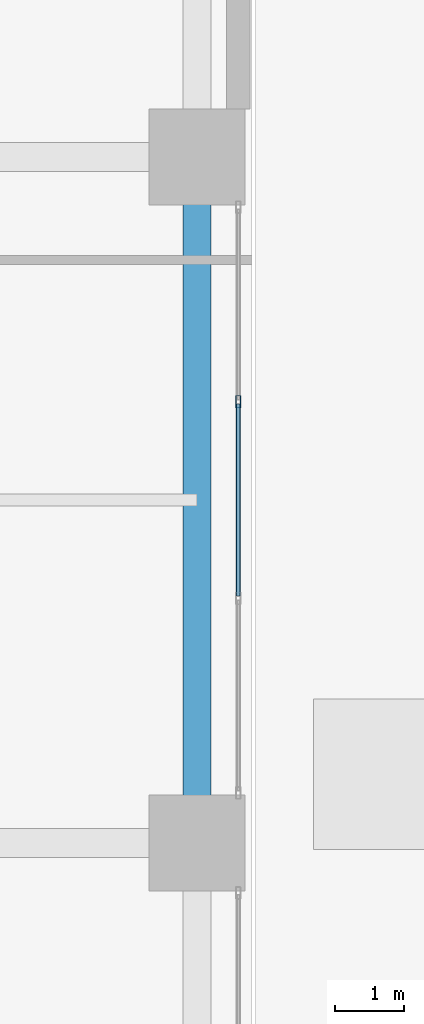
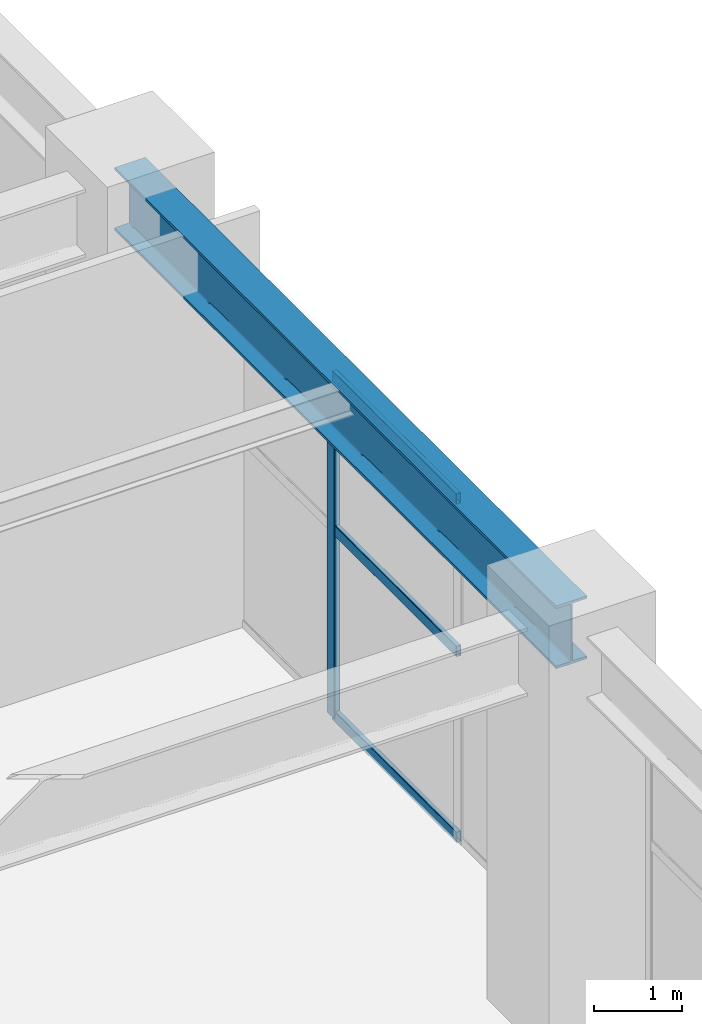
# One storey, part 16 of 31: 4 members, 1 beam, 1 element without a shape of its own.
"""IFC4 building model written with IfcOpenShell, lengths in metres."""

from ifc_helpers import new_model, si_unit, direction, frame, origin, origin_2d, place, context, subcontext, project, spatial, hollow_rectangle, i_section, extrude, material, layer, layer_set, material_profile, profile_set, type_object, element, aggregate, save


model = new_model("IFC4")

# Units and contexts
model_context = context("Model", 3, precision=1e-05, world=origin(), true_north=direction((0.0, 1.0)))
body_context = subcontext(model_context, "Body", "Model", "MODEL_VIEW")
ifc_project = project(units=[si_unit("LENGTHUNIT", "METRE"), si_unit("AREAUNIT", "SQUARE_METRE"), si_unit("VOLUMEUNIT", "CUBIC_METRE"), si_unit("PLANEANGLEUNIT", "RADIAN"), si_unit("MASSUNIT", "GRAM", prefix="KILO")], contexts=[model_context])

# Site, building, storey
site_placement = place(None, origin())
site = spatial("IfcSite", under=ifc_project, at=site_placement, CompositionType="ELEMENT")
building_placement = place(site_placement, origin())
building = spatial("IfcBuilding", under=site, at=building_placement, Name="Soratama Intermodal Tower", CompositionType="ELEMENT")
storey_placement = place(building_placement, origin())
storey = spatial("IfcBuildingStorey", under=building, at=storey_placement, Name="L00", CompositionType="ELEMENT", Elevation=0.0)

# Beam
ifc_material_1 = material(Name="Structural steel ASTM A992 Grade 50", Category="steel")
ifc_material_profile_1 = material_profile(ifc_material_1, i_section(OverallWidth=0.403076171875, OverallDepth=0.867919921875, WebThickness=0.02099609375, FlangeThickness=0.03564453125, FilletRadius=0.01806640625, at=origin_2d()), Name="W33X241")
ifc_profile_set_1 = profile_set([ifc_material_profile_1], Name="Structural steel ASTM A992 Grade 50")
beam_type = type_object("IfcBeamType", Name="BM-POD-EXT-W33", PredefinedType="BEAM", material=ifc_profile_set_1)
beam_placement = place(storey_placement, frame((83.199951171875, 25.0, 5.24609375), z_axis=(0.0, 1.0, 0.0), x_axis=(-1.0, 0.0, 0.0)))
element("IfcBeam", 1, at=beam_placement, inside=storey, type_object=beam_type, Name="L00 Station Girder Y4-3", PredefinedType="BEAM", context=body_context, shape_type="SweptSolid", body=[
    extrude(i_section(OverallWidth=0.403076171875, OverallDepth=0.867919921875, WebThickness=0.02099609375, FlangeThickness=0.03564453125, FilletRadius=0.01806640625, at=origin_2d()), origin(), (0.0, 0.0, 1.0), 10.0),
])

# Curtain wall, members
ifc_material_2 = material(Name="Double-glazed aluminium curtain wall", Category="aluminium")
ifc_layer = layer(ifc_material_2, 0.159912109375)
ifc_layer_set = layer_set([ifc_layer], Name="Double-glazed aluminium curtain wall")
curtain_wall_type = type_object("IfcCurtainWallType", Name="CW-SYS-1", PredefinedType="NOTDEFINED", material=ifc_layer_set)
curtain_wall_placement = place(storey_placement, origin())
curtain_wall = element("IfcCurtainWall", 2, at=curtain_wall_placement, inside=storey, type_object=curtain_wall_type, Name="L00 Station Curtain Wall E2", PredefinedType="NOTDEFINED")
ifc_material_3 = material(Name="Anodised aluminium AA 6063-T6", Category="aluminium")
ifc_material_profile_2 = material_profile(ifc_material_3, hollow_rectangle(XDim=0.074951171875, YDim=0.179931640625, WallThickness=0.006103515625, InnerFilletRadius=0.006103515625, OuterFilletRadius=0.011962890625, at=origin_2d()), Name="CWM180X75X6")
ifc_profile_set_2 = profile_set([ifc_material_profile_2], Name="Anodised aluminium AA 6063-T6")
member_type_1 = type_object("IfcMemberType", Name="MT-CWM-1", PredefinedType="MULLION", material=ifc_profile_set_2)
member_1_placement = place(storey_placement, frame((83.800048828125, 31.433349609375, 0.0), z_axis=(0.0, 0.0, 1.0), x_axis=(-1.0, 0.0, 0.0)))
member_1 = element("IfcMember", 3, at=member_1_placement, type_object=member_type_1, Name="CW-1 mullion 3", PredefinedType="MULLION", context=body_context, shape_type="SweptSolid", body=[
    extrude(hollow_rectangle(XDim=0.074951171875, YDim=0.179931640625, WallThickness=0.006103515625, InnerFilletRadius=0.006103515625, OuterFilletRadius=0.011962890625, at=origin_2d()), origin(), (0.0, 0.0, 1.0), 4.736083984375),
])
ifc_material_4 = material(Name="Anodised aluminium AA 6063-T6", Category="aluminium")
ifc_material_profile_3 = material_profile(ifc_material_4, hollow_rectangle(XDim=0.06494140625, YDim=0.14990234375, WallThickness=0.0048828125, InnerFilletRadius=0.0048828125, OuterFilletRadius=0.010009765625, at=origin_2d()), Name="CWT150X65X5")
ifc_profile_set_3 = profile_set([ifc_material_profile_3], Name="Anodised aluminium AA 6063-T6")
member_type_2 = type_object("IfcMemberType", Name="TT-CWT-1", PredefinedType="USERDEFINED", material=ifc_profile_set_3)
member_2_placement = place(storey_placement, frame((83.800048828125, 28.5966796875, 0.030029296875), z_axis=(0.0, 1.0, 0.0), x_axis=(-1.0, 0.0, 0.0)))
member_2 = element("IfcMember", 4, at=member_2_placement, type_object=member_type_2, Name="CW-1 transom 2.1", ObjectType="TRANSOM", PredefinedType="USERDEFINED", context=body_context, shape_type="SweptSolid", body=[
    extrude(hollow_rectangle(XDim=0.06494140625, YDim=0.14990234375, WallThickness=0.0048828125, InnerFilletRadius=0.0048828125, OuterFilletRadius=0.010009765625, at=origin_2d()), origin(), (0.0, 0.0, 1.0), 2.806640625),
])
member_3_placement = place(storey_placement, frame((83.800048828125, 28.5966796875, 2.60009765625), z_axis=(0.0, 1.0, 0.0), x_axis=(-1.0, 0.0, 0.0)))
member_3 = element("IfcMember", 5, at=member_3_placement, type_object=member_type_2, Name="CW-1 transom 2.2", ObjectType="TRANSOM", PredefinedType="USERDEFINED", context=body_context, shape_type="SweptSolid", body=[
    extrude(hollow_rectangle(XDim=0.06494140625, YDim=0.14990234375, WallThickness=0.0048828125, InnerFilletRadius=0.0048828125, OuterFilletRadius=0.010009765625, at=origin_2d()), origin(), (0.0, 0.0, 1.0), 2.806640625),
])
member_4_placement = place(storey_placement, frame((83.800048828125, 28.5966796875, 4.7060546875), z_axis=(0.0, 1.0, 0.0), x_axis=(-1.0, 0.0, 0.0)))
member_4 = element("IfcMember", 6, at=member_4_placement, type_object=member_type_2, Name="CW-1 transom 2.3", ObjectType="TRANSOM", PredefinedType="USERDEFINED", context=body_context, shape_type="SweptSolid", body=[
    extrude(hollow_rectangle(XDim=0.06494140625, YDim=0.14990234375, WallThickness=0.0048828125, InnerFilletRadius=0.0048828125, OuterFilletRadius=0.010009765625, at=origin_2d()), origin(), (0.0, 0.0, 1.0), 2.806640625),
])
aggregate(curtain_wall, [member_1, member_2, member_3, member_4])

save(model, "model.ifc")
